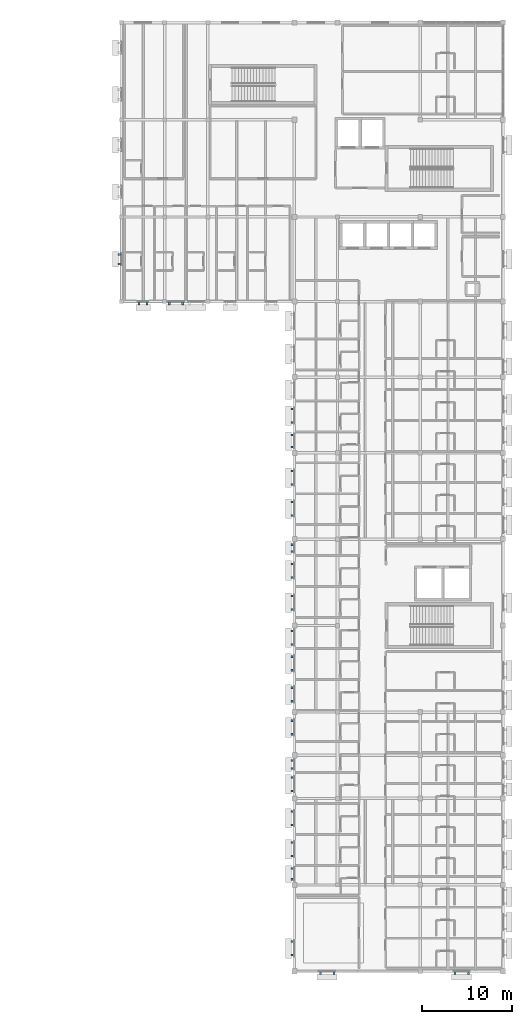
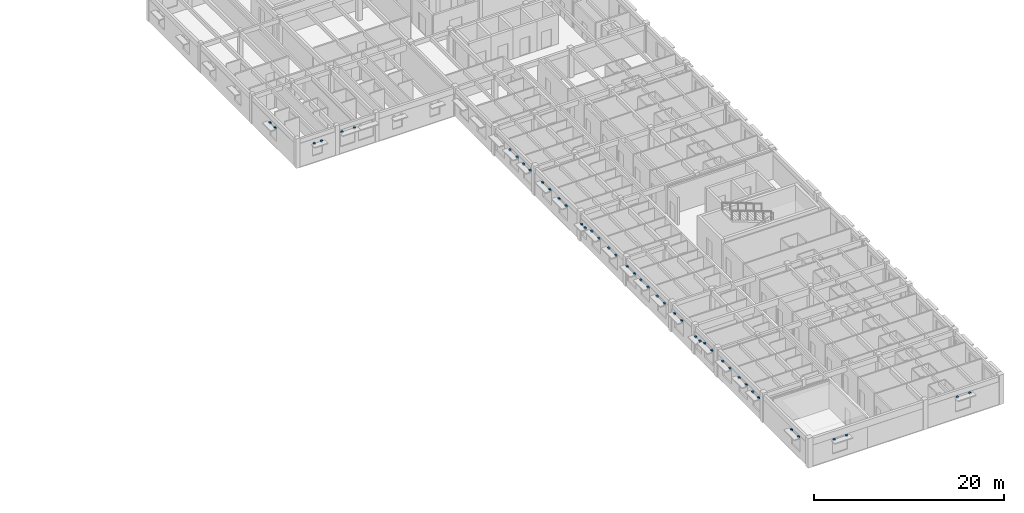
# One storey, part 22 of 31: 44 discrete accessories.
"""IFC4 building model written with IfcOpenShell, lengths in metres."""

from ifc_helpers import new_model, si_unit, direction, frame, origin, origin_2d, place, context, subcontext, project, spatial, rectangle, extrude, material, type_object, element, save


model = new_model("IFC4")

# Units and contexts
model_context = context("Model", 3, precision=1e-05, world=origin(), true_north=direction((0.0, 1.0)))
body_context = subcontext(model_context, "Body", "Model", "MODEL_VIEW")
ifc_project = project(units=[si_unit("LENGTHUNIT", "METRE"), si_unit("AREAUNIT", "SQUARE_METRE"), si_unit("VOLUMEUNIT", "CUBIC_METRE"), si_unit("PLANEANGLEUNIT", "RADIAN"), si_unit("MASSUNIT", "GRAM", prefix="KILO")], contexts=[model_context])

# Site, building, storey
site_placement = place(None, origin())
site = spatial("IfcSite", under=ifc_project, at=site_placement, CompositionType="ELEMENT")
building_placement = place(site_placement, origin())
building = spatial("IfcBuilding", under=site, at=building_placement, Name="Veldera Park Congress Hotel", CompositionType="ELEMENT")
storey_placement = place(building_placement, frame((0.0, 0.0, 20.0)))
storey = spatial("IfcBuildingStorey", under=building, at=storey_placement, Name="L04", CompositionType="ELEMENT", Elevation=20.0)

# Discrete accessories
ifc_material = material(Name="Steel ASTM A992 Gr.50", Category="steel")
discrete_accessory_type = type_object("IfcDiscreteAccessoryType", Name="ACC-BRK160", PredefinedType="BRACKET", material=ifc_material)
for number, where, z_axis, x_axis, name in (
    (1, (63.695068359375, -47.64990234375, 2.455078125), (0.0, 0.0, 1.0), (1.0, 0.0, 0.0), "Shading Steel Outrigger Bracket 142L"),
    (2, (65.195068359375, -47.64990234375, 2.455078125), (0.0, 0.0, 1.0), (1.0, 0.0, 0.0), "Shading Steel Outrigger Bracket 142R"),
    (3, (78.639892578125, -47.64990234375, 2.669921875), (0.0, 0.0, 1.0), (1.0, 0.0, 0.0), "Shading Steel Outrigger Bracket 143L"),
    (4, (80.139892578125, -47.64990234375, 2.669921875), (0.0, 0.0, 1.0), (1.0, 0.0, 0.0), "Shading Steel Outrigger Bracket 143R"),
    (5, (41.35009765625, 32.232421875, 2.47021484375), (0.0, 0.0, 1.0), (0.0, -1.0, 0.0), "Shading Steel Outrigger Bracket 152L"),
    (6, (41.35009765625, 31.1826171875, 2.47021484375), (0.0, 0.0, 1.0), (0.0, -1.0, 0.0), "Shading Steel Outrigger Bracket 152R"),
    (7, (43.550048828125, 26.75, 2.3701171875), (0.0, 0.0, 1.0), (1.0, 0.0, 0.0), "Shading Steel Outrigger Bracket 153L"),
    (8, (44.449951171875, 26.75, 2.3701171875), (0.0, 0.0, 1.0), (1.0, 0.0, 0.0), "Shading Steel Outrigger Bracket 153R"),
    (9, (60.550048828125, -5.7109375, 2.669921875), (0.0, 0.0, 1.0), (0.0, -1.0, 0.0), "Shading Steel Outrigger Bracket 156L"),
    (10, (60.550048828125, -7.2109375, 2.669921875), (0.0, 0.0, 1.0), (0.0, -1.0, 0.0), "Shading Steel Outrigger Bracket 156R"),
    (11, (60.550048828125, -44.111083984375, 2.669921875), (0.0, 0.0, 1.0), (0.0, -1.0, 0.0), "Shading Steel Outrigger Bracket 157L"),
    (12, (60.550048828125, -45.611083984375, 2.669921875), (0.0, 0.0, 1.0), (0.0, -1.0, 0.0), "Shading Steel Outrigger Bracket 157R"),
    (13, (60.550048828125, -35.97607421875, 2.56982421875), (0.0, 0.0, 1.0), (0.0, -1.0, 0.0), "Shading Steel Outrigger Bracket 358L"),
    (14, (60.550048828125, -37.176025390625, 2.56982421875), (0.0, 0.0, 1.0), (0.0, -1.0, 0.0), "Shading Steel Outrigger Bracket 358R"),
    (15, (60.550048828125, -33.10009765625, 2.669921875), (0.0, 0.0, 1.0), (0.0, -1.0, 0.0), "Shading Steel Outrigger Bracket 359L"),
    (16, (60.550048828125, -34.60009765625, 2.669921875), (0.0, 0.0, 1.0), (0.0, -1.0, 0.0), "Shading Steel Outrigger Bracket 359R"),
    (17, (60.550048828125, -29.659912109375, 2.669921875), (0.0, 0.0, 1.0), (0.0, -1.0, 0.0), "Shading Steel Outrigger Bracket 360L"),
    (18, (60.550048828125, -31.159912109375, 2.669921875), (0.0, 0.0, 1.0), (0.0, -1.0, 0.0), "Shading Steel Outrigger Bracket 360R"),
    (19, (60.550048828125, -25.865966796875, 2.669921875), (0.0, 0.0, 1.0), (0.0, -1.0, 0.0), "Shading Steel Outrigger Bracket 361L"),
    (20, (60.550048828125, -27.365966796875, 2.669921875), (0.0, 0.0, 1.0), (0.0, -1.0, 0.0), "Shading Steel Outrigger Bracket 361R"),
    (21, (60.550048828125, -23.98388671875, 2.3701171875), (0.0, 0.0, 1.0), (0.0, -1.0, 0.0), "Shading Steel Outrigger Bracket 362L"),
    (22, (60.550048828125, -24.884033203125, 2.3701171875), (0.0, 0.0, 1.0), (0.0, -1.0, 0.0), "Shading Steel Outrigger Bracket 362R"),
    (23, (60.550048828125, -19.56396484375, 2.669921875), (0.0, 0.0, 1.0), (0.0, -1.0, 0.0), "Shading Steel Outrigger Bracket 363L"),
    (24, (60.550048828125, -21.06396484375, 2.669921875), (0.0, 0.0, 1.0), (0.0, -1.0, 0.0), "Shading Steel Outrigger Bracket 363R"),
    (25, (60.550048828125, -15.89990234375, 2.669921875), (0.0, 0.0, 1.0), (0.0, -1.0, 0.0), "Shading Steel Outrigger Bracket 364L"),
    (26, (60.550048828125, -17.39990234375, 2.669921875), (0.0, 0.0, 1.0), (0.0, -1.0, 0.0), "Shading Steel Outrigger Bracket 364R"),
    (27, (60.550048828125, -12.4599609375, 2.669921875), (0.0, 0.0, 1.0), (0.0, -1.0, 0.0), "Shading Steel Outrigger Bracket 365L"),
    (28, (60.550048828125, -13.9599609375, 2.669921875), (0.0, 0.0, 1.0), (0.0, -1.0, 0.0), "Shading Steel Outrigger Bracket 365R"),
    (29, (60.550048828125, -9.60400390625, 2.669921875), (0.0, 0.0, 1.0), (0.0, -1.0, 0.0), "Shading Steel Outrigger Bracket 366L"),
    (30, (60.550048828125, -11.10400390625, 2.669921875), (0.0, 0.0, 1.0), (0.0, -1.0, 0.0), "Shading Steel Outrigger Bracket 366R"),
    (31, (60.550048828125, -2.139892578125, 2.669921875), (0.0, 0.0, 1.0), (0.0, -1.0, 0.0), "Shading Steel Outrigger Bracket 367L"),
    (32, (60.550048828125, -3.639892578125, 2.669921875), (0.0, 0.0, 1.0), (0.0, -1.0, 0.0), "Shading Steel Outrigger Bracket 367R"),
    (33, (60.550048828125, -0.01904296875, 2.27001953125), (0.0, 0.0, 1.0), (0.0, -1.0, 0.0), "Shading Steel Outrigger Bracket 368L"),
    (34, (60.550048828125, -0.76904296875, 2.27001953125), (0.0, 0.0, 1.0), (0.0, -1.0, 0.0), "Shading Steel Outrigger Bracket 368R"),
    (35, (60.550048828125, 4.739990234375, 2.669921875), (0.0, 0.0, 1.0), (0.0, -1.0, 0.0), "Shading Steel Outrigger Bracket 369L"),
    (36, (60.550048828125, 3.239990234375, 2.669921875), (0.0, 0.0, 1.0), (0.0, -1.0, 0.0), "Shading Steel Outrigger Bracket 369R"),
    (37, (60.550048828125, 8.179931640625, 2.669921875), (0.0, 0.0, 1.0), (0.0, -1.0, 0.0), "Shading Steel Outrigger Bracket 370L"),
    (38, (60.550048828125, 6.679931640625, 2.669921875), (0.0, 0.0, 1.0), (0.0, -1.0, 0.0), "Shading Steel Outrigger Bracket 370R"),
    (39, (60.550048828125, 12.178955078125, 2.6201171875), (0.0, 0.0, 1.0), (0.0, -1.0, 0.0), "Shading Steel Outrigger Bracket 371L"),
    (40, (60.550048828125, 10.8291015625, 2.6201171875), (0.0, 0.0, 1.0), (0.0, -1.0, 0.0), "Shading Steel Outrigger Bracket 371R"),
    (41, (60.550048828125, 15.06005859375, 2.669921875), (0.0, 0.0, 1.0), (0.0, -1.0, 0.0), "Shading Steel Outrigger Bracket 372L"),
    (42, (60.550048828125, 13.56005859375, 2.669921875), (0.0, 0.0, 1.0), (0.0, -1.0, 0.0), "Shading Steel Outrigger Bracket 372R"),
    (43, (46.91650390625, 26.75, 2.669921875), (0.0, 0.0, 1.0), (1.0, 0.0, 0.0), "Shading Steel Outrigger Bracket 392L"),
    (44, (48.41650390625, 26.75, 2.669921875), (0.0, 0.0, 1.0), (1.0, 0.0, 0.0), "Shading Steel Outrigger Bracket 392R"),
):
    element("IfcDiscreteAccessory", number, at=place(storey_placement, frame(where, z_axis=z_axis, x_axis=x_axis)), inside=storey, type_object=discrete_accessory_type, Name=name, PredefinedType="BRACKET", context=body_context, shape_type="SweptSolid", body=[
        extrude(rectangle(XDim=0.239990234375, YDim=0.239990234375, at=origin_2d()), origin(), (0.0, 0.0, 1.0), 0.219970703125),
    ])

save(model, "model.ifc")
